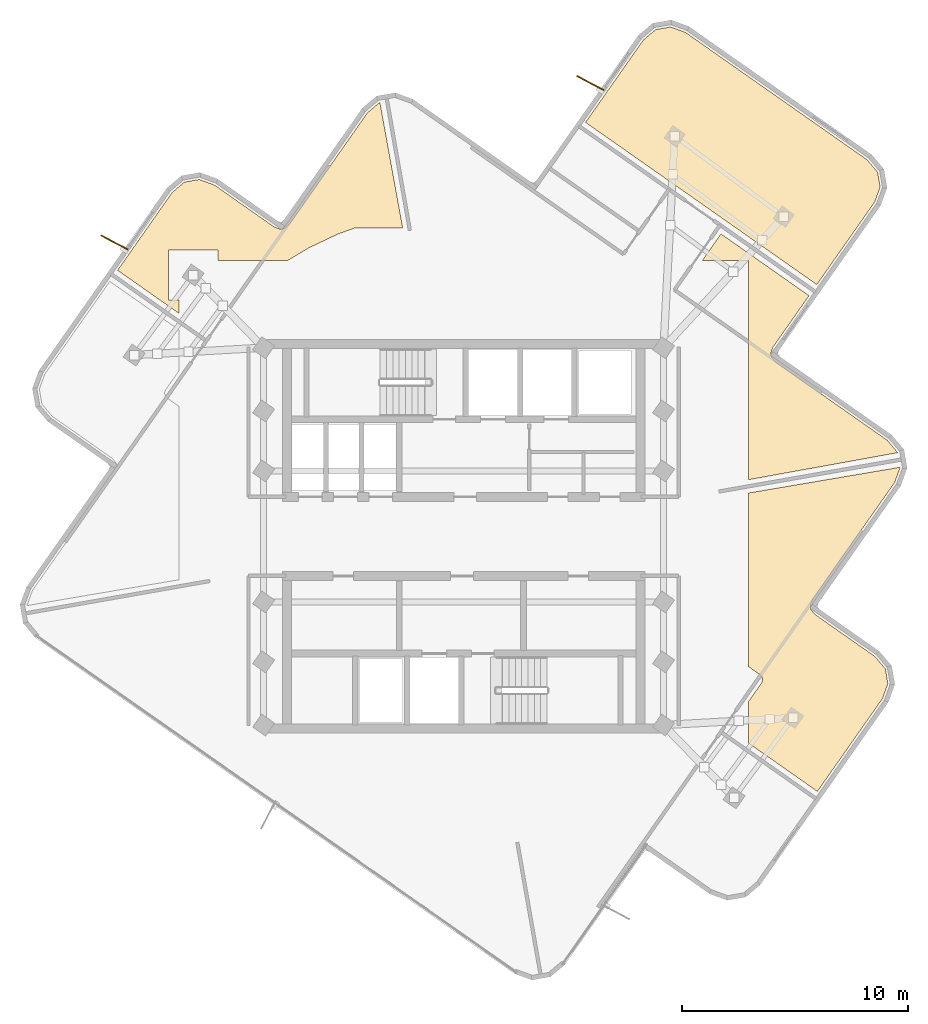
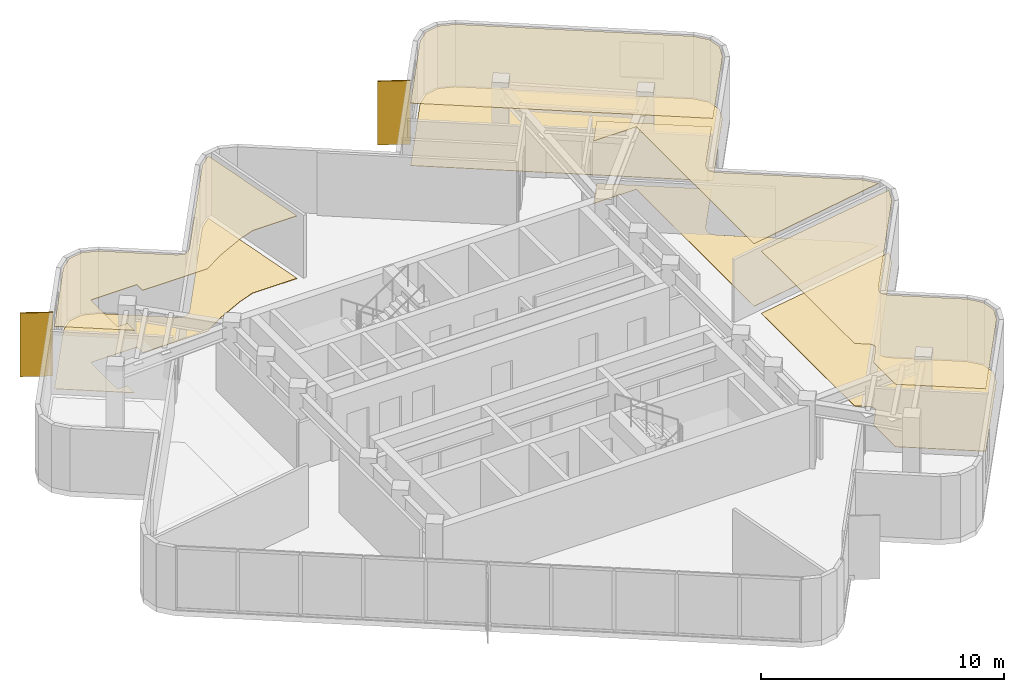
# One storey, part 8 of 8: 8 coverings, 2 shading devices.
"""IFC4 building model written with IfcOpenShell, lengths in metres."""

from ifc_helpers import new_model, si_unit, direction, frame, origin, origin_2d, place, context, subcontext, project, spatial, polyline, rectangle, outline, extrude, material, layer, layer_set, type_object, element, save


model = new_model("IFC4")

# Units and contexts
model_context = context("Model", 3, precision=1e-05, world=origin(), true_north=direction((0.0, 1.0)))
body_context = subcontext(model_context, "Body", "Model", "MODEL_VIEW")
ifc_project = project(units=[si_unit("LENGTHUNIT", "METRE"), si_unit("AREAUNIT", "SQUARE_METRE"), si_unit("VOLUMEUNIT", "CUBIC_METRE"), si_unit("PLANEANGLEUNIT", "RADIAN"), si_unit("MASSUNIT", "GRAM", prefix="KILO")], contexts=[model_context])

# Site, building, storey
site_placement = place(None, origin())
site = spatial("IfcSite", under=ifc_project, at=site_placement, CompositionType="ELEMENT")
building_placement = place(site_placement, origin())
building = spatial("IfcBuilding", under=site, at=building_placement, Name="Solmarez Civic Tower", CompositionType="ELEMENT")
storey_placement = place(building_placement, frame((0.0, 0.0, 264.60009765625)))
storey = spatial("IfcBuildingStorey", under=building, at=storey_placement, Name="L71", CompositionType="ELEMENT", Elevation=264.60009765625)

# Coverings
ifc_material_1 = material(Name="Perforated Mineral-Fibre Acoustic Ceiling")
ifc_layer_1 = layer(ifc_material_1, 0.02490234375)
ifc_layer_set_1 = layer_set([ifc_layer_1], Name="Perforated Mineral-Fibre Acoustic Ceiling")
covering_type_1 = type_object("IfcCoveringType", Name="COV-CEIL-ACOUSTIC", PredefinedType="CEILING", material=ifc_layer_set_1)
covering_1_placement = place(storey_placement, frame((0.0, 0.0, 3.135009765625)))
element("IfcCovering", 1, at=covering_1_placement, inside=storey, type_object=covering_type_1, Name="L71 Suspended Acoustic Ceiling 2", PredefinedType="CEILING", context=body_context, shape_type="SweptSolid", body=[
    extrude(outline(polyline([(15.632080078125, 11.14404296875), (18.193115234375, 14.797119140625), (18.43603515625, 15.4619140625), (18.321044921875, 16.1201171875), (17.864990234375, 16.662109375), (9.823974609375, 22.301025390625), (9.158935546875, 22.5439453125), (8.501953125, 22.428955078125), (7.9580078125, 21.97412109375), (5.39697265625, 18.322021484375), (15.632080078125, 11.14404296875)])), origin(), (0.0, 0.0, 1.0), 0.02490234375),
])
covering_2_placement = place(storey_placement, frame((0.0, 0.0, 3.135009765625)))
element("IfcCovering", 2, at=covering_2_placement, inside=storey, type_object=covering_type_1, Name="L71 Suspended Acoustic Ceiling 3", PredefinedType="CEILING", context=body_context, shape_type="SweptSolid", body=[
    extrude(outline(polyline([(12.60009765625, 1.9189453125), (12.60009765625, -5.757080078125), (13.114013671875, -6.117919921875), (13.1201171875, -6.1220703125), (13.1240234375, -6.125), (13.14208984375, -6.139892578125), (13.158935546875, -6.157958984375), (13.1650390625, -6.1650390625), (13.174072265625, -6.176025390625), (13.179931640625, -6.18408203125), (13.19091796875, -6.199951171875), (13.199951171875, -6.217041015625), (13.2080078125, -6.23388671875), (13.2099609375, -6.239013671875), (13.216064453125, -6.256103515625), (13.220947265625, -6.27294921875), (13.222900390625, -6.281982421875), (13.22412109375, -6.287109375), (13.22509765625, -6.2919921875), (13.22802734375, -6.31298828125), (13.22900390625, -6.3349609375), (13.22900390625, -6.344970703125), (13.22802734375, -6.366943359375), (13.22509765625, -6.387939453125), (13.22412109375, -6.39306640625), (13.217041015625, -6.419921875), (13.214111328125, -6.428955078125), (13.208984375, -6.44091796875), (13.20703125, -6.446044921875), (13.198974609375, -6.462890625), (13.18994140625, -6.47998046875), (13.177978515625, -6.4970703125), (12.60009765625, -7.321044921875), (12.60009765625, -9.14111328125), (15.657958984375, -11.285888671875), (18.534912109375, -7.18310546875), (18.778076171875, -6.51806640625), (18.6630859375, -5.860107421875), (18.2080078125, -5.31689453125), (15.5859375, -3.47900390625), (15.569091796875, -3.466064453125), (15.552001953125, -3.451904296875), (15.547119140625, -3.447021484375), (15.529052734375, -3.426025390625), (15.4189453125, -3.294921875), (15.4140625, -3.2890625), (15.39990234375, -3.27001953125), (15.39599609375, -3.263916015625), (15.385986328125, -3.2470703125), (15.376953125, -3.22900390625), (15.3740234375, -3.221923828125), (15.37109375, -3.215087890625), (15.361083984375, -3.18798828125), (15.35888671875, -3.180908203125), (15.35498046875, -3.1650390625), (15.35302734375, -3.14794921875), (15.35107421875, -3.132080078125), (15.34912109375, -3.113037109375), (15.34912109375, -3.093017578125), (15.35009765625, -3.0830078125), (15.35107421875, -3.070068359375), (15.35400390625, -3.049072265625), (15.35791015625, -3.030029296875), (15.360107421875, -3.02294921875), (15.362060546875, -3.01611328125), (15.366943359375, -3.0009765625), (15.426025390625, -2.839111328125), (15.43701171875, -2.81396484375), (15.446044921875, -2.7958984375), (15.4560546875, -2.779052734375), (15.462890625, -2.76904296875), (19.080078125, 2.388916015625), (19.322021484375, 3.053955078125), (19.321044921875, 3.06103515625), (12.60009765625, 1.9189453125)])), origin(), (0.0, 0.0, 1.0), 0.02490234375),
])
covering_3_placement = place(storey_placement, frame((0.0, 0.0, 3.135009765625)))
element("IfcCovering", 3, at=covering_3_placement, inside=storey, type_object=covering_type_1, Name="L71 Suspended Acoustic Ceiling 4", PredefinedType="CEILING", context=body_context, shape_type="SweptSolid", body=[
    extrude(outline(polyline([(10.55908203125, 12.199951171875), (12.60009765625, 12.199951171875), (12.60009765625, 2.507080078125), (19.208984375, 3.705078125), (19.20703125, 3.7119140625), (18.751953125, 4.25390625), (13.842041015625, 7.697998046875), (13.837890625, 7.700927734375), (13.821044921875, 7.714111328125), (13.803955078125, 7.72802734375), (13.799072265625, 7.73291015625), (13.781005859375, 7.75390625), (13.672119140625, 7.884033203125), (13.656982421875, 7.904052734375), (13.64892578125, 7.916015625), (13.64111328125, 7.928955078125), (13.636962890625, 7.93603515625), (13.6259765625, 7.9580078125), (13.623046875, 7.965087890625), (13.613037109375, 7.991943359375), (13.611083984375, 7.9990234375), (13.60693359375, 8.014892578125), (13.60498046875, 8.031982421875), (13.60400390625, 8.0400390625), (13.60205078125, 8.06689453125), (13.60205078125, 8.08203125), (13.60400390625, 8.10888671875), (13.60498046875, 8.12109375), (13.60595703125, 8.1279296875), (13.612060546875, 8.156982421875), (13.614013671875, 8.1640625), (13.618896484375, 8.178955078125), (13.677978515625, 8.341064453125), (13.68896484375, 8.365966796875), (13.697021484375, 8.383056640625), (13.7080078125, 8.39990234375), (13.718017578125, 8.4150390625), (15.2880859375, 10.653076171875), (11.39111328125, 13.386962890625), (10.55908203125, 12.199951171875)])), origin(), (0.0, 0.0, 1.0), 0.02490234375),
])
covering_4_placement = place(storey_placement, frame((0.0, 0.0, 3.135009765625)))
element("IfcCovering", 4, at=covering_4_placement, inside=storey, type_object=covering_type_1, Name="L71 Suspended Acoustic Ceiling 5", PredefinedType="CEILING", context=body_context, shape_type="SweptSolid", body=[
    extrude(outline(polyline([(-12.60009765625, 9.8740234375), (-12.60009765625, 10.466064453125), (-13.071044921875, 10.466064453125), (-13.071044921875, 12.666015625), (-10.87109375, 12.666015625), (-10.87109375, 12.199951171875), (-7.797119140625, 12.199951171875), (-6.842041015625, 12.77294921875), (-6.826904296875, 12.781005859375), (-6.81396484375, 12.787109375), (-5.552978515625, 13.384033203125), (-5.532958984375, 13.39208984375), (-4.85107421875, 13.635986328125), (-4.844970703125, 13.637939453125), (-4.818115234375, 13.64501953125), (-4.81298828125, 13.64599609375), (-4.7919921875, 13.64892578125), (-4.77001953125, 13.64990234375), (-2.697021484375, 13.64990234375), (-3.705078125, 19.208984375), (-3.7119140625, 19.20703125), (-4.25390625, 18.751953125), (-7.697998046875, 13.842041015625), (-7.700927734375, 13.837890625), (-7.714111328125, 13.821044921875), (-7.72802734375, 13.803955078125), (-7.73291015625, 13.799072265625), (-7.75390625, 13.781005859375), (-7.884033203125, 13.672119140625), (-7.904052734375, 13.656982421875), (-7.916015625, 13.64892578125), (-7.928955078125, 13.64111328125), (-7.93603515625, 13.636962890625), (-7.9580078125, 13.6259765625), (-7.965087890625, 13.623046875), (-7.991943359375, 13.613037109375), (-7.9990234375, 13.611083984375), (-8.014892578125, 13.60693359375), (-8.031982421875, 13.60498046875), (-8.0400390625, 13.60400390625), (-8.06689453125, 13.60205078125), (-8.08203125, 13.60205078125), (-8.10888671875, 13.60400390625), (-8.12109375, 13.60498046875), (-8.1279296875, 13.60595703125), (-8.156982421875, 13.612060546875), (-8.1640625, 13.614013671875), (-8.178955078125, 13.618896484375), (-8.341064453125, 13.677978515625), (-8.365966796875, 13.68896484375), (-8.383056640625, 13.697021484375), (-8.39990234375, 13.7080078125), (-8.4150390625, 13.718017578125), (-11.031005859375, 15.552001953125), (-11.696044921875, 15.794921875), (-12.35400390625, 15.679931640625), (-12.89599609375, 15.22412109375), (-15.31396484375, 11.777099609375), (-12.60009765625, 9.8740234375)])), origin(), (0.0, 0.0, 1.0), 0.02490234375),
])
ifc_material_2 = material(Name="Polished Tropical Stone Terrazzo Flooring", Category="masonry")
ifc_layer_2 = layer(ifc_material_2, 0.02001953125)
ifc_layer_set_2 = layer_set([ifc_layer_2], Name="Polished Tropical Stone Terrazzo Flooring")
covering_type_2 = type_object("IfcCoveringType", Name="COV-FLOOR-TERRAZZO", PredefinedType="FLOORING", material=ifc_layer_set_2)
covering_5_placement = place(storey_placement, origin())
element("IfcCovering", 5, at=covering_5_placement, inside=storey, type_object=covering_type_2, Name="L71 Terrazzo Floor Finish 2", PredefinedType="FLOORING", context=body_context, shape_type="SweptSolid", body=[
    extrude(outline(polyline([(15.632080078125, 11.14404296875), (18.193115234375, 14.797119140625), (18.43603515625, 15.4619140625), (18.321044921875, 16.1201171875), (17.864990234375, 16.662109375), (9.823974609375, 22.301025390625), (9.158935546875, 22.5439453125), (8.501953125, 22.428955078125), (7.9580078125, 21.97412109375), (5.39697265625, 18.322021484375), (15.632080078125, 11.14404296875)])), origin(), (0.0, 0.0, 1.0), 0.02001953125),
])
covering_6_placement = place(storey_placement, origin())
element("IfcCovering", 6, at=covering_6_placement, inside=storey, type_object=covering_type_2, Name="L71 Terrazzo Floor Finish 3", PredefinedType="FLOORING", context=body_context, shape_type="SweptSolid", body=[
    extrude(outline(polyline([(12.60009765625, 1.9189453125), (12.60009765625, -5.757080078125), (13.114013671875, -6.117919921875), (13.1201171875, -6.1220703125), (13.1240234375, -6.125), (13.14208984375, -6.139892578125), (13.158935546875, -6.157958984375), (13.1650390625, -6.1650390625), (13.174072265625, -6.176025390625), (13.179931640625, -6.18408203125), (13.19091796875, -6.199951171875), (13.199951171875, -6.217041015625), (13.2080078125, -6.23388671875), (13.2099609375, -6.239013671875), (13.216064453125, -6.256103515625), (13.220947265625, -6.27294921875), (13.222900390625, -6.281982421875), (13.22412109375, -6.287109375), (13.22509765625, -6.2919921875), (13.22802734375, -6.31298828125), (13.22900390625, -6.3349609375), (13.22900390625, -6.344970703125), (13.22802734375, -6.366943359375), (13.22509765625, -6.387939453125), (13.22412109375, -6.39306640625), (13.217041015625, -6.419921875), (13.214111328125, -6.428955078125), (13.208984375, -6.44091796875), (13.20703125, -6.446044921875), (13.198974609375, -6.462890625), (13.18994140625, -6.47998046875), (13.177978515625, -6.4970703125), (12.60009765625, -7.321044921875), (12.60009765625, -9.14111328125), (15.657958984375, -11.285888671875), (18.534912109375, -7.18310546875), (18.778076171875, -6.51806640625), (18.6630859375, -5.860107421875), (18.2080078125, -5.31689453125), (15.5859375, -3.47900390625), (15.569091796875, -3.466064453125), (15.552001953125, -3.451904296875), (15.547119140625, -3.447021484375), (15.529052734375, -3.426025390625), (15.4189453125, -3.294921875), (15.4140625, -3.2890625), (15.39990234375, -3.27001953125), (15.39599609375, -3.263916015625), (15.385986328125, -3.2470703125), (15.376953125, -3.22900390625), (15.3740234375, -3.221923828125), (15.37109375, -3.215087890625), (15.361083984375, -3.18798828125), (15.35888671875, -3.180908203125), (15.35498046875, -3.1650390625), (15.35302734375, -3.14794921875), (15.35107421875, -3.132080078125), (15.34912109375, -3.113037109375), (15.34912109375, -3.093017578125), (15.35009765625, -3.0830078125), (15.35107421875, -3.070068359375), (15.35400390625, -3.049072265625), (15.35791015625, -3.030029296875), (15.360107421875, -3.02294921875), (15.362060546875, -3.01611328125), (15.366943359375, -3.0009765625), (15.426025390625, -2.839111328125), (15.43701171875, -2.81396484375), (15.446044921875, -2.7958984375), (15.4560546875, -2.779052734375), (15.462890625, -2.76904296875), (19.080078125, 2.388916015625), (19.322021484375, 3.053955078125), (19.321044921875, 3.06103515625), (12.60009765625, 1.9189453125)])), origin(), (0.0, 0.0, 1.0), 0.02001953125),
])
covering_7_placement = place(storey_placement, origin())
element("IfcCovering", 7, at=covering_7_placement, inside=storey, type_object=covering_type_2, Name="L71 Terrazzo Floor Finish 4", PredefinedType="FLOORING", context=body_context, shape_type="SweptSolid", body=[
    extrude(outline(polyline([(10.55908203125, 12.199951171875), (12.60009765625, 12.199951171875), (12.60009765625, 2.507080078125), (19.208984375, 3.705078125), (19.20703125, 3.7119140625), (18.751953125, 4.25390625), (13.842041015625, 7.697998046875), (13.837890625, 7.700927734375), (13.821044921875, 7.714111328125), (13.803955078125, 7.72802734375), (13.799072265625, 7.73291015625), (13.781005859375, 7.75390625), (13.672119140625, 7.884033203125), (13.656982421875, 7.904052734375), (13.64892578125, 7.916015625), (13.64111328125, 7.928955078125), (13.636962890625, 7.93603515625), (13.6259765625, 7.9580078125), (13.623046875, 7.965087890625), (13.613037109375, 7.991943359375), (13.611083984375, 7.9990234375), (13.60693359375, 8.014892578125), (13.60498046875, 8.031982421875), (13.60400390625, 8.0400390625), (13.60205078125, 8.06689453125), (13.60205078125, 8.08203125), (13.60400390625, 8.10888671875), (13.60498046875, 8.12109375), (13.60595703125, 8.1279296875), (13.612060546875, 8.156982421875), (13.614013671875, 8.1640625), (13.618896484375, 8.178955078125), (13.677978515625, 8.341064453125), (13.68896484375, 8.365966796875), (13.697021484375, 8.383056640625), (13.7080078125, 8.39990234375), (13.718017578125, 8.4150390625), (15.2880859375, 10.653076171875), (11.39111328125, 13.386962890625), (10.55908203125, 12.199951171875)])), origin(), (0.0, 0.0, 1.0), 0.02001953125),
])
covering_8_placement = place(storey_placement, origin())
element("IfcCovering", 8, at=covering_8_placement, inside=storey, type_object=covering_type_2, Name="L71 Terrazzo Floor Finish 5", PredefinedType="FLOORING", context=body_context, shape_type="SweptSolid", body=[
    extrude(outline(polyline([(-12.60009765625, 9.8740234375), (-12.60009765625, 10.466064453125), (-13.071044921875, 10.466064453125), (-13.071044921875, 12.666015625), (-10.87109375, 12.666015625), (-10.87109375, 12.199951171875), (-7.797119140625, 12.199951171875), (-6.842041015625, 12.77294921875), (-6.826904296875, 12.781005859375), (-6.81396484375, 12.787109375), (-5.552978515625, 13.384033203125), (-5.532958984375, 13.39208984375), (-4.85107421875, 13.635986328125), (-4.844970703125, 13.637939453125), (-4.818115234375, 13.64501953125), (-4.81298828125, 13.64599609375), (-4.7919921875, 13.64892578125), (-4.77001953125, 13.64990234375), (-2.697021484375, 13.64990234375), (-3.705078125, 19.208984375), (-3.7119140625, 19.20703125), (-4.25390625, 18.751953125), (-7.697998046875, 13.842041015625), (-7.700927734375, 13.837890625), (-7.714111328125, 13.821044921875), (-7.72802734375, 13.803955078125), (-7.73291015625, 13.799072265625), (-7.75390625, 13.781005859375), (-7.884033203125, 13.672119140625), (-7.904052734375, 13.656982421875), (-7.916015625, 13.64892578125), (-7.928955078125, 13.64111328125), (-7.93603515625, 13.636962890625), (-7.9580078125, 13.6259765625), (-7.965087890625, 13.623046875), (-7.991943359375, 13.613037109375), (-7.9990234375, 13.611083984375), (-8.014892578125, 13.60693359375), (-8.031982421875, 13.60498046875), (-8.0400390625, 13.60400390625), (-8.06689453125, 13.60205078125), (-8.08203125, 13.60205078125), (-8.10888671875, 13.60400390625), (-8.12109375, 13.60498046875), (-8.1279296875, 13.60595703125), (-8.156982421875, 13.612060546875), (-8.1640625, 13.614013671875), (-8.178955078125, 13.618896484375), (-8.341064453125, 13.677978515625), (-8.365966796875, 13.68896484375), (-8.383056640625, 13.697021484375), (-8.39990234375, 13.7080078125), (-8.4150390625, 13.718017578125), (-11.031005859375, 15.552001953125), (-11.696044921875, 15.794921875), (-12.35400390625, 15.679931640625), (-12.89599609375, 15.22412109375), (-15.31396484375, 11.777099609375), (-12.60009765625, 9.8740234375)])), origin(), (0.0, 0.0, 1.0), 0.02001953125),
])

# Shading devices
ifc_material_3 = material(Name="Bronze Anodised Aluminium EN AW-6063 T6", Category="aluminium")
ifc_layer_3 = layer(ifc_material_3, 0.054931640625)
ifc_layer_set_3 = layer_set([ifc_layer_3], Name="Bronze Anodised Aluminium EN AW-6063 T6")
shading_device_type = type_object("IfcShadingDeviceType", Name="FIN-BRONZE-Z56", PredefinedType="USERDEFINED", material=ifc_layer_set_3)
for number, where, z_axis, x_axis, name in (
    (9, (-15.4560546875, 13.010986328125, -0.0400390625), (0.0, 0.0, 1.0), (-0.884930745313, 0.465722638487, 0.0), "L71 Anodised Bronze Solar Fin FIN-L71-03"),
    (10, (5.611083984375, 20.06298828125, -0.0400390625), (0.0, 0.0, 1.0), (-0.884922616785, 0.465738083371, 0.0), "L71 Anodised Bronze Solar Fin FIN-L71-04"),
):
    element("IfcShadingDevice", number, at=place(storey_placement, frame(where, z_axis=z_axis, x_axis=x_axis)), inside=storey, type_object=shading_device_type, Name=name, ObjectType="FIN", PredefinedType="USERDEFINED", context=body_context, shape_type="SweptSolid", body=[
        extrude(rectangle(XDim=1.35009765625, YDim=0.054931640625, at=origin_2d()), origin(), (0.0, 0.0, 1.0), 3.199951171875),
    ])

save(model, "model.ifc")
